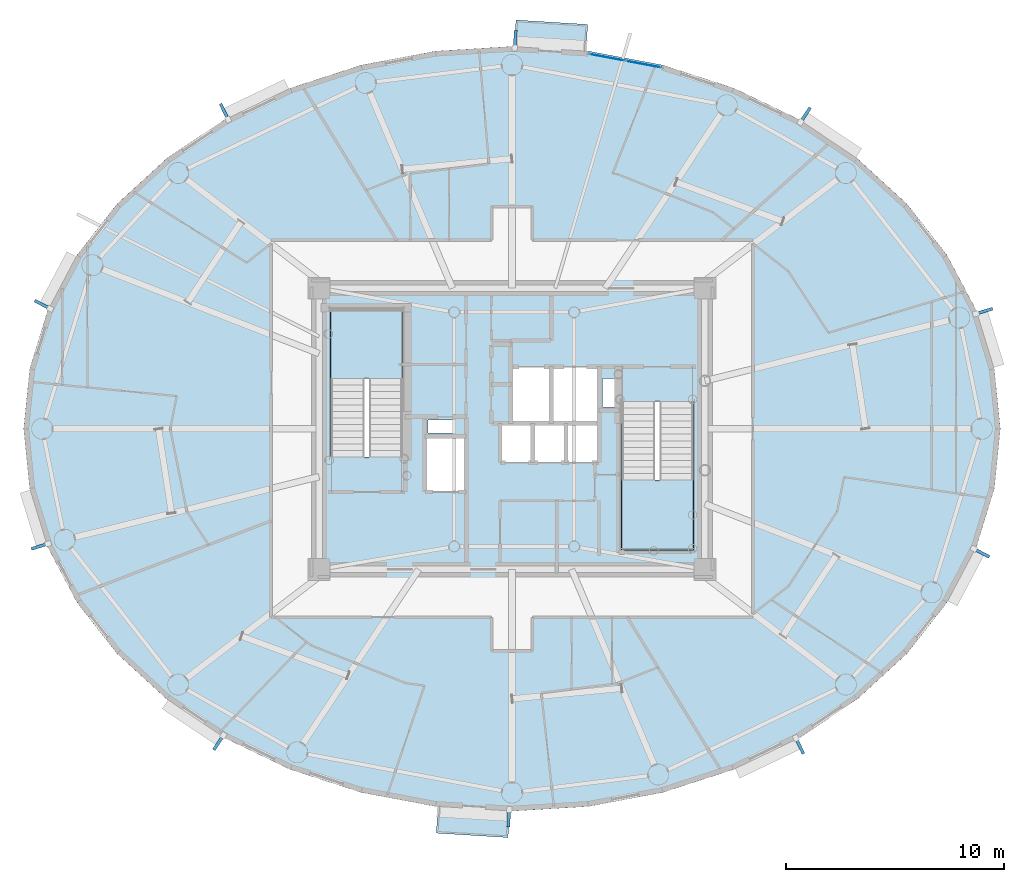
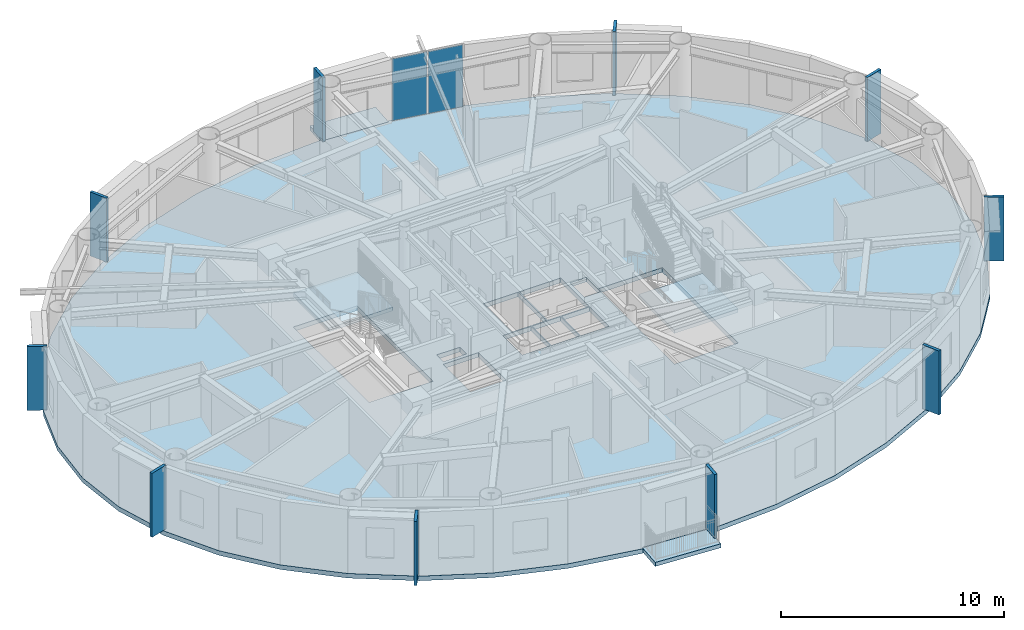
# One storey, part 5 of 20: 12 plates, 5 slabs, 3 elements without a shape of their own.
"""IFC4 building model written with IfcOpenShell, lengths in metres."""

from ifc_helpers import new_model, si_unit, direction, frame, origin, origin_2d, place, context, subcontext, project, spatial, polyline, rectangle, outline, extrude, source, transform, mapped, material, layer, layer_set, type_object, element, aggregate, save


model = new_model("IFC4")

# Units and contexts
model_context = context("Model", 3, precision=1e-05, world=origin(), true_north=direction((0.0, 1.0)))
body_context = subcontext(model_context, "Body", "Model", "MODEL_VIEW")
ifc_project = project(units=[si_unit("LENGTHUNIT", "METRE"), si_unit("AREAUNIT", "SQUARE_METRE"), si_unit("VOLUMEUNIT", "CUBIC_METRE"), si_unit("PLANEANGLEUNIT", "RADIAN"), si_unit("MASSUNIT", "GRAM", prefix="KILO")], contexts=[model_context])

# Site, building, storey
site_placement = place(None, origin())
site = spatial("IfcSite", under=ifc_project, at=site_placement, CompositionType="ELEMENT")
building_placement = place(site_placement, origin())
building = spatial("IfcBuilding", under=site, at=building_placement, Name="Linh Dai School and Residence Tower", CompositionType="ELEMENT")
storey_placement = place(building_placement, frame((0.0, 0.0, 288.0)))
storey = spatial("IfcBuildingStorey", under=building, at=storey_placement, Name="L71", CompositionType="ELEMENT", Elevation=288.0)

# Slabs
ifc_material_1 = material(Name="Concrete B45 (C35/45)", Category="concrete")
ifc_layer_1 = layer(ifc_material_1, 0.219970703125)
ifc_layer_set_1 = layer_set([ifc_layer_1], Name="Concrete B45 (C35/45)")
slab_type_1 = type_object("IfcSlabType", Name="SLB-BALC-220", PredefinedType="FLOOR", material=ifc_layer_set_1)
slab_1_placement = place(storey_placement, frame((0.0, 0.0, -0.219970703125)))
element("IfcSlab", 1, at=slab_1_placement, inside=storey, type_object=slab_type_1, Name="L71 Sliding Balcony Slab 10", PredefinedType="FLOOR", context=body_context, shape_type="SweptSolid", body=[
    extrude(outline(polyline([(36.1025390625, 44.453857421875), (39.3916015625, 44.2509765625), (39.4716796875, 45.548583984375), (36.1826171875, 45.751220703125), (36.1025390625, 44.453857421875)])), origin(), (0.0, 0.0, 1.0), 0.219970703125),
])
slab_2_placement = place(storey_placement, frame((0.0, 0.0, -0.219970703125)))
element("IfcSlab", 2, at=slab_2_placement, inside=storey, type_object=slab_type_1, Name="L71 Sliding Balcony Slab 30", PredefinedType="FLOOR", context=body_context, shape_type="SweptSolid", body=[
    extrude(outline(polyline([(35.8974609375, 9.546142578125), (32.6083984375, 9.7490234375), (32.5283203125, 8.451416015625), (35.8173828125, 8.248779296875), (35.8974609375, 9.546142578125)])), origin(), (0.0, 0.0, 1.0), 0.219970703125),
])
ifc_layer_2 = layer(ifc_material_1, 0.25)
ifc_layer_set_2 = layer_set([ifc_layer_2], Name="Concrete B45 (C35/45)")
slab_type_2 = type_object("IfcSlabType", Name="SLB-FLR250", PredefinedType="FLOOR", material=ifc_layer_set_2)
slab_3_placement = place(storey_placement, frame((0.0, 0.0, -0.25)))
element("IfcSlab", 3, at=slab_3_placement, inside=storey, type_object=slab_type_2, Name="L71 Composite Structural Floor Slab", PredefinedType="FLOOR", context=body_context, shape_type="SweptSolid", body=[
    extrude(outline(polyline([(58.39990234375, 27.0), (58.124267578125, 29.743896484375), (57.3037109375, 32.420166015625), (55.95849609375, 34.962890625), (54.1220703125, 37.309814453125), (51.839111328125, 39.402587890625), (49.16650390625, 41.190185546875), (46.16943359375, 42.628173828125), (42.921875, 43.681640625), (39.504150390625, 44.323974609375), (36.0, 44.5400390625), (32.495849609375, 44.323974609375), (29.078125, 43.681640625), (25.83056640625, 42.628173828125), (22.83349609375, 41.190185546875), (20.160888671875, 39.402587890625), (17.8779296875, 37.309814453125), (16.04150390625, 34.962890625), (14.6962890625, 32.420166015625), (13.875732421875, 29.743896484375), (13.60009765625, 27.0), (13.875732421875, 24.256103515625), (14.6962890625, 21.579833984375), (16.04150390625, 19.037109375), (17.8779296875, 16.690185546875), (20.160888671875, 14.597412109375), (22.83349609375, 12.809814453125), (25.83056640625, 11.371826171875), (29.078125, 10.318359375), (32.495849609375, 9.676025390625), (36.0, 9.4599609375), (39.504150390625, 9.676025390625), (42.921875, 10.318359375), (46.16943359375, 11.371826171875), (49.16650390625, 12.809814453125), (51.839111328125, 14.597412109375), (54.1220703125, 16.690185546875), (55.95849609375, 19.037109375), (57.3037109375, 21.579833984375), (58.124267578125, 24.256103515625), (58.39990234375, 27.0)]), holes=[polyline([(30.97998046875, 25.699951171875), (30.97998046875, 32.5), (27.679931640625, 32.5), (27.679931640625, 25.699951171875), (30.97998046875, 25.699951171875)]), polyline([(41.02001953125, 28.25), (41.02001953125, 21.449951171875), (44.320068359375, 21.449951171875), (44.320068359375, 28.25), (41.02001953125, 28.25)]), polyline([(35.97998046875, 27.280029296875), (37.77001953125, 27.280029296875), (37.77001953125, 29.820068359375), (35.97998046875, 29.820068359375), (35.97998046875, 27.280029296875)]), polyline([(32.030029296875, 24.1298828125), (33.8701171875, 24.1298828125), (33.8701171875, 26.6201171875), (32.030029296875, 26.6201171875), (32.030029296875, 24.1298828125)]), polyline([(37.830078125, 27.280029296875), (39.969970703125, 27.280029296875), (39.969970703125, 29.820068359375), (37.830078125, 29.820068359375), (37.830078125, 27.280029296875)]), polyline([(35.47998046875, 25.47998046875), (36.929931640625, 25.47998046875), (36.929931640625, 27.219970703125), (35.47998046875, 27.219970703125), (35.47998046875, 25.47998046875)]), polyline([(36.989990234375, 25.47998046875), (38.449951171875, 25.47998046875), (38.449951171875, 27.219970703125), (36.989990234375, 27.219970703125), (36.989990234375, 25.47998046875)]), polyline([(38.510009765625, 25.47998046875), (39.969970703125, 25.47998046875), (39.969970703125, 27.219970703125), (38.510009765625, 27.219970703125), (38.510009765625, 25.47998046875)]), polyline([(40.14990234375, 28.0), (40.14990234375, 29.300048828125), (41.0, 29.300048828125), (41.0, 28.280029296875), (40.989990234375, 28.280029296875), (40.989990234375, 28.0), (40.14990234375, 28.0)]), polyline([(32.14990234375, 26.800048828125), (33.35009765625, 26.800048828125), (33.35009765625, 27.39990234375), (32.14990234375, 27.39990234375), (32.14990234375, 26.800048828125)])]), origin(), (0.0, 0.0, 1.0), 0.25),
])

# Stair, slab
stair_type = type_object("IfcStairType", Name="ST-DOG-1550-R1442", PredefinedType="HALF_TURN_STAIR", material=ifc_material_1)
stair_1_placement = place(storey_placement, origin())
stair_1 = element("IfcStair", 4, at=stair_1_placement, inside=storey, type_object=stair_type, Name="L71 Core Smokeproof Exit Stair ST1", PredefinedType="HALF_TURN_STAIR")
ifc_layer_3 = layer(ifc_material_1, 0.199951171875)
ifc_layer_set_3 = layer_set([ifc_layer_3], Name="Concrete B45 (C35/45)")
slab_type_3 = type_object("IfcSlabType", Name="SLB-ST-LANDING-200", PredefinedType="LANDING", material=ifc_layer_set_3)
slab_4_placement = place(storey_placement, frame((0.0, 0.0, 1.675048828125)))
slab_4 = element("IfcSlab", 5, at=slab_4_placement, type_object=slab_type_3, Name="ST1 landing 1", PredefinedType="LANDING", context=body_context, shape_type="SweptSolid", body=[
    extrude(outline(polyline([(30.97998046875, 29.300048828125), (30.97998046875, 32.5), (27.679931640625, 32.5), (27.679931640625, 29.300048828125), (30.97998046875, 29.300048828125)])), origin(), (0.0, 0.0, 1.0), 0.199951171875),
])
aggregate(stair_1, [slab_4])

stair_2_placement = place(storey_placement, origin())
stair_2 = element("IfcStair", 6, at=stair_2_placement, inside=storey, type_object=stair_type, Name="L71 Core Smokeproof Exit Stair ST2", PredefinedType="HALF_TURN_STAIR")
slab_5_placement = place(storey_placement, frame((0.0, 0.0, 1.675048828125)))
slab_5 = element("IfcSlab", 7, at=slab_5_placement, type_object=slab_type_3, Name="ST2 landing 1", PredefinedType="LANDING", context=body_context, shape_type="SweptSolid", body=[
    extrude(outline(polyline([(41.02001953125, 24.64990234375), (41.02001953125, 21.449951171875), (44.320068359375, 21.449951171875), (44.320068359375, 24.64990234375), (41.02001953125, 24.64990234375)])), origin(), (0.0, 0.0, 1.0), 0.199951171875),
])
aggregate(stair_2, [slab_5])

# Plates
ifc_material_2 = material(Name="Precast Concrete B45 (C35/45)", Category="concrete")
ifc_layer_4 = layer(ifc_material_2, 0.139892578125)
ifc_layer_set_4 = layer_set([ifc_layer_4], Name="Precast Concrete B45 (C35/45)")
plate_type_1 = type_object("IfcPlateType", Name="FIN-TC-900x140", PredefinedType="USERDEFINED", material=ifc_layer_set_4)
shared_shape_1 = source(origin(), body_context, "Body", "SweptSolid", [
    extrude(rectangle(XDim=0.89990234375, YDim=0.139892578125, at=origin_2d()), origin(), (0.0, 0.0, 1.0), 3.5),
])
for number, where, z_axis, x_axis, name in (
    (8, (57.615478515625, 32.377685546875, 0.0), (0.0, 0.0, 1.0), (0.956069236934, 0.293140945944, 0.0), "L71 Precast Terracotta Radial Fin 02"),
    (9, (49.43212890625, 41.355712890625, 0.0), (0.0, 0.0, 1.0), (0.555907926874, 0.831243873264, 0.0), "L71 Precast Terracotta Radial Fin 06"),
    (10, (36.14501953125, 44.81689453125, 0.0), (0.0, 0.0, 1.0), (0.061509965157, 0.998106469364, 0.0), "L71 Precast Terracotta Radial Fin 10"),
    (11, (22.826171875, 41.503173828125, 0.0), (0.0, 0.0, 1.0), (-0.432611916456, 0.901580240323, 0.0), "L71 Precast Terracotta Radial Fin 14"),
    (12, (14.50537109375, 32.669921875, 0.0), (0.0, 0.0, 1.0), (-0.883938310975, 0.467603531201, 0.0), "L71 Precast Terracotta Radial Fin 18"),
    (13, (14.384521484375, 21.622314453125, 0.0), (0.0, 0.0, 1.0), (-0.956069236934, -0.293140945944, 0.0), "L71 Precast Terracotta Radial Fin 22"),
    (14, (22.56787109375, 12.644287109375, 0.0), (0.0, 0.0, 1.0), (-0.555905765624, -0.831245318631, 0.0), "L71 Precast Terracotta Radial Fin 26"),
    (15, (35.85498046875, 9.18310546875, 0.0), (0.0, 0.0, 1.0), (-0.061509965157, -0.998106469364, 0.0), "L71 Precast Terracotta Radial Fin 30"),
    (16, (49.173828125, 12.496826171875, 0.0), (0.0, 0.0, 1.0), (0.432611916456, -0.901580240323, 0.0), "L71 Precast Terracotta Radial Fin 34"),
    (17, (57.49462890625, 21.330078125, 0.0), (0.0, 0.0, 1.0), (0.883938310975, -0.467603531201, 0.0), "L71 Precast Terracotta Radial Fin 38"),
):
    element("IfcPlate", number, at=place(storey_placement, frame(where, z_axis=z_axis, x_axis=x_axis)), inside=storey, type_object=plate_type_1, Name=name, ObjectType="RADIAL FIN", PredefinedType="USERDEFINED", context=body_context, shape_type="MappedRepresentation", body=[
        mapped(shared_shape_1, transform((0.0, 0.0, 0.0), x_axis=(1.0, 0.0, 0.0), y_axis=(0.0, 1.0, 0.0), z_axis=(0.0, 0.0, 1.0), scale=1.0)),
    ])

# Curtain wall, plates
ifc_material_3 = material(Name="Aluminium Anodised Curtain Wall", Category="aluminium")
ifc_layer_5 = layer(ifc_material_3, 0.14990234375)
ifc_layer_set_5 = layer_set([ifc_layer_5], Name="Aluminium Anodised Curtain Wall")
curtain_wall_type = type_object("IfcCurtainWallType", Name="CW-SYS-4", PredefinedType="USERDEFINED", material=ifc_layer_set_5)
curtain_wall_placement = place(storey_placement, origin())
curtain_wall = element("IfcCurtainWall", 18, at=curtain_wall_placement, inside=storey, type_object=curtain_wall_type, Name="L71 CW4 Curtain Wall 09", ObjectType="RIBBON CURTAIN WALL", PredefinedType="USERDEFINED")
ifc_material_4 = material(Name="Double Low-E Insulated Glazing", Category="glass")
ifc_layer_6 = layer(ifc_material_4, 0.02587890625)
ifc_layer_set_6 = layer_set([ifc_layer_6], Name="Double Low-E Insulated Glazing")
plate_type_2 = type_object("IfcPlateType", Name="CW-SYS-4-PAN", PredefinedType="CURTAIN_PANEL", material=ifc_layer_set_6)
shared_shape_2 = source(origin(), body_context, "Body", "SweptSolid", [
    extrude(rectangle(XDim=1.653076171875, YDim=0.02587890625, at=origin_2d()), origin(), (0.0, 0.0, 1.0), 3.39599609375),
])
plate_1_placement = place(storey_placement, frame((40.35205078125, 44.03759765625, 0.052001953125), z_axis=(0.0, 0.0, 1.0), x_axis=(0.982785325002, -0.184751197452, 0.0)))
plate_1 = element("IfcPlate", 19, at=plate_1_placement, type_object=plate_type_2, Name="CW4 panel 1.1", PredefinedType="CURTAIN_PANEL", context=body_context, shape_type="MappedRepresentation", body=[
    mapped(shared_shape_2, transform((0.0, 0.0, 0.0), x_axis=(1.0, 0.0, 0.0), y_axis=(0.0, 1.0, 0.0), z_axis=(0.0, 0.0, 1.0), scale=1.0)),
])
plate_2_placement = place(storey_placement, frame((42.02783203125, 43.72265625, 0.052001953125), z_axis=(0.0, 0.0, 1.0), x_axis=(0.982785325002, -0.184751197452, 0.0)))
plate_2 = element("IfcPlate", 20, at=plate_2_placement, type_object=plate_type_2, Name="CW4 panel 2.1", PredefinedType="CURTAIN_PANEL", context=body_context, shape_type="MappedRepresentation", body=[
    mapped(shared_shape_2, transform((0.0, 0.0, 0.0), x_axis=(1.0, 0.0, 0.0), y_axis=(0.0, 1.0, 0.0), z_axis=(0.0, 0.0, 1.0), scale=1.0)),
])
aggregate(curtain_wall, [plate_1, plate_2])

save(model, "model.ifc")
